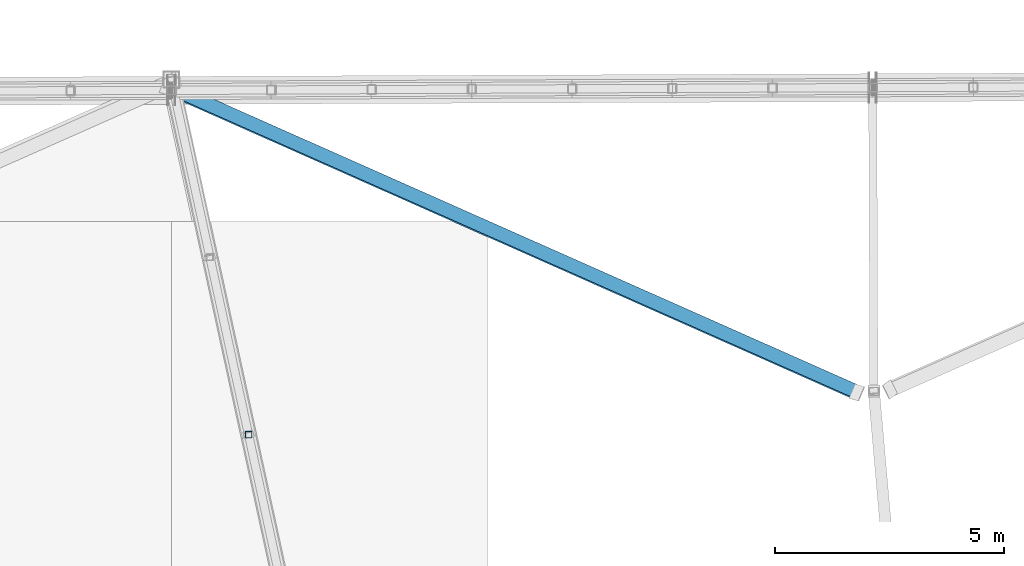
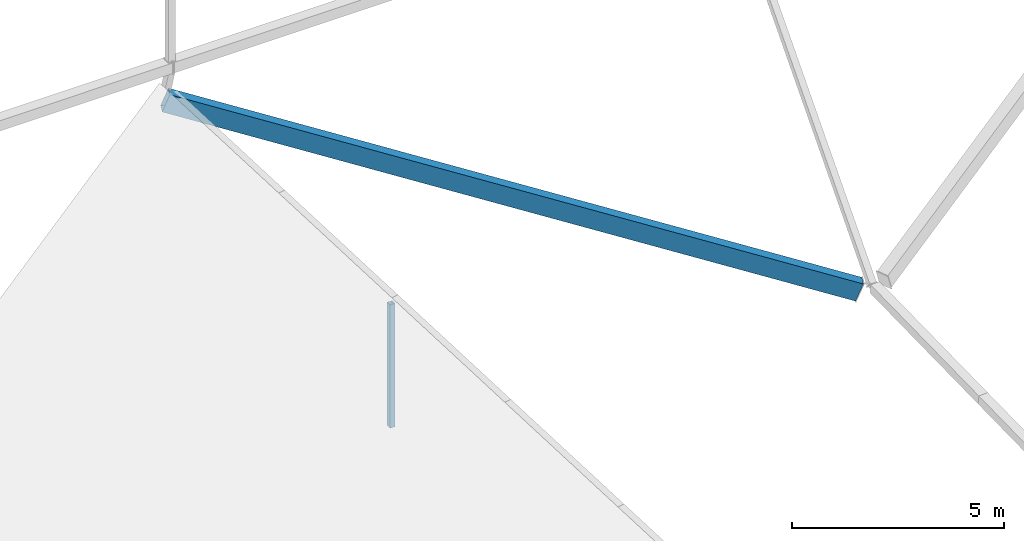
# One storey, part 82 of 188: 1 beam, 1 member.
"""IFC4 building model written with IfcOpenShell, lengths in metres."""

from ifc_helpers import new_model, si_unit, direction, frame, origin, origin_2d, place, context, subcontext, project, spatial, hollow_rectangle, extrude, material, material_profile, profile_set, type_object, element, save


model = new_model("IFC4")

# Units and contexts
model_context = context("Model", 3, precision=1e-05, world=origin(), true_north=direction((0.0, 1.0)))
body_context = subcontext(model_context, "Body", "Model", "MODEL_VIEW")
ifc_project = project(units=[si_unit("LENGTHUNIT", "METRE"), si_unit("AREAUNIT", "SQUARE_METRE"), si_unit("VOLUMEUNIT", "CUBIC_METRE"), si_unit("PLANEANGLEUNIT", "RADIAN"), si_unit("MASSUNIT", "GRAM", prefix="KILO")], contexts=[model_context])

# Site, building, storey
site_placement = place(None, origin())
site = spatial("IfcSite", under=ifc_project, at=site_placement, CompositionType="ELEMENT")
building_placement = place(site_placement, origin())
building = spatial("IfcBuilding", under=site, at=building_placement, Name="Meseta Stadium", CompositionType="ELEMENT")
storey_placement = place(building_placement, frame((0.0, 0.0, 30.0)))
storey = spatial("IfcBuildingStorey", under=building, at=storey_placement, Name="ROOF", CompositionType="ELEMENT", Elevation=30.0)

# Beam
ifc_material_1 = material(Name="Steel S355", Category="steel")
ifc_material_profile_1 = material_profile(ifc_material_1, hollow_rectangle(XDim=0.300048828125, YDim=0.5, WallThickness=0.01611328125, at=origin_2d()), Name="RHS 500x300x16")
ifc_profile_set_1 = profile_set([ifc_material_profile_1], Name="Steel S355")
beam_type = type_object("IfcBeamType", Name="RHS 500x300x16 rim ring beam", PredefinedType="BEAM", material=ifc_profile_set_1)
beam_placement = place(storey_placement, frame((-8.043701171875, 98.5712890625, 3.7509765625), z_axis=(-0.847168236299, 0.375703326713, 0.375703326713), x_axis=(-0.386529475296, -0.920954463594, 0.049374494557)))
element("IfcBeam", 1, at=beam_placement, inside=storey, type_object=beam_type, Name="RIM RING BEAM 20", PredefinedType="BEAM", context=body_context, shape_type="SweptSolid", body=[
    extrude(hollow_rectangle(XDim=0.300048828125, YDim=0.5, WallThickness=0.01611328125, at=origin_2d()), origin(), (0.0, 0.0, 1.0), 17.75439453125),
])

# Member
ifc_material_2 = material(Name="Steel S355", Category="steel")
ifc_material_profile_2 = material_profile(ifc_material_2, hollow_rectangle(XDim=0.139892578125, YDim=0.139892578125, WallThickness=0.0048828125, at=origin_2d()), Name="SHS 140x140x5")
ifc_profile_set_2 = profile_set([ifc_material_profile_2], Name="Steel S355")
member_type = type_object("IfcMemberType", Name="SHS 140x140x5 post", PredefinedType="POST", material=ifc_profile_set_2)
member_placement = place(storey_placement, frame((-21.313720703125, 97.65185546875, 5.011962890625), z_axis=(0.0, 0.0, 1.0), x_axis=(1.0, 0.0, 0.0)))
element("IfcMember", 2, at=member_placement, inside=storey, type_object=member_type, Name="ROOF TRUSS RT-20 post", PredefinedType="POST", context=body_context, shape_type="SweptSolid", body=[
    extrude(hollow_rectangle(XDim=0.139892578125, YDim=0.139892578125, WallThickness=0.0048828125, at=origin_2d()), origin(), (0.0, 0.0, 1.0), 3.552734375),
])

save(model, "model.ifc")
